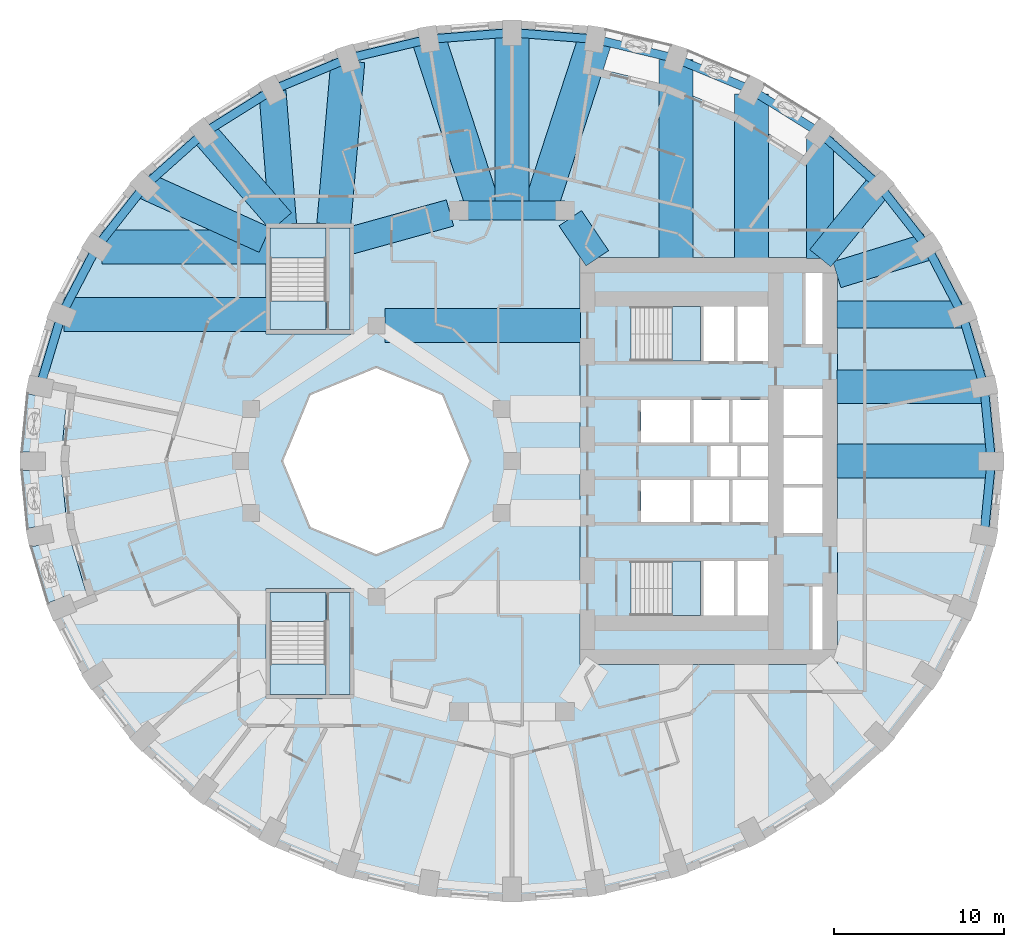
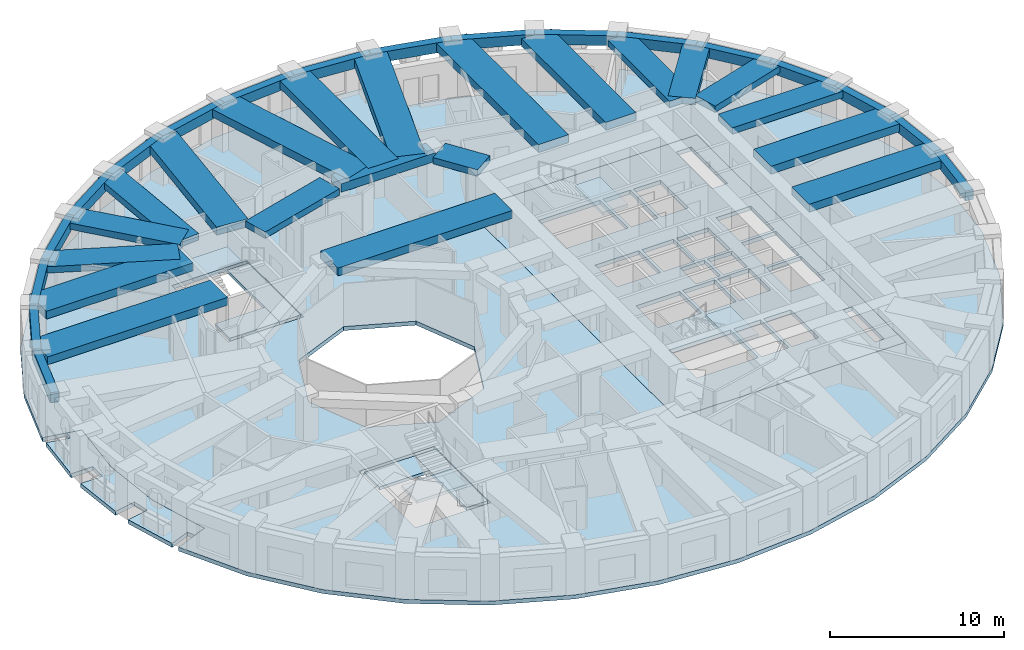
# One storey, part 2 of 14: 39 beams, 11 slabs, 4 elements without a shape of their own.
"""IFC4 building model written with IfcOpenShell, lengths in metres."""

from ifc_helpers import new_model, si_unit, direction, frame, origin, origin_2d, place, context, subcontext, project, spatial, polyline, rectangle, outline, extrude, material, layer, layer_set, material_profile, profile_set, type_object, element, aggregate, save


model = new_model("IFC4")

# Units and contexts
model_context = context("Model", 3, precision=1e-05, world=origin(), true_north=direction((0.0, 1.0)))
body_context = subcontext(model_context, "Body", "Model", "MODEL_VIEW")
ifc_project = project(units=[si_unit("LENGTHUNIT", "METRE"), si_unit("AREAUNIT", "SQUARE_METRE"), si_unit("VOLUMEUNIT", "CUBIC_METRE"), si_unit("PLANEANGLEUNIT", "RADIAN"), si_unit("MASSUNIT", "GRAM", prefix="KILO")], contexts=[model_context])

# Site, building, storey
site_placement = place(None, origin())
site = spatial("IfcSite", under=ifc_project, at=site_placement, CompositionType="ELEMENT")
building_placement = place(site_placement, origin())
building = spatial("IfcBuilding", under=site, at=building_placement, Name="Taillehof Tower", CompositionType="ELEMENT")
storey_placement = place(building_placement, frame((0.0, 0.0, 21.699951171875)))
storey = spatial("IfcBuildingStorey", under=building, at=storey_placement, Name="L04", CompositionType="ELEMENT", Elevation=21.699951171875)

# Beams
ifc_material_1 = material(Name="Concrete C50/60", Category="concrete")
ifc_material_profile_1 = material_profile(ifc_material_1, rectangle(XDim=1.10009765625, YDim=0.60009765625, at=origin_2d()), Name="RC 1100x600")
ifc_profile_set_1 = profile_set([ifc_material_profile_1], Name="Concrete C50/60")
beam_type_1 = type_object("IfcBeamType", Name="Mid-ring beam C50/60 1100x600", PredefinedType="BEAM", material=ifc_profile_set_1)
beam_1_placement = place(storey_placement, frame((3.125732421875, 14.772216796875, 2.719970703125), z_axis=(-1.0, 0.0, 0.0), x_axis=(0.0, -1.0, 0.0)))
element("IfcBeam", 1, at=beam_1_placement, inside=storey, type_object=beam_type_1, Name="Mid-ring beam MB01", PredefinedType="BEAM", context=body_context, shape_type="SweptSolid", body=[
    extrude(rectangle(XDim=1.10009765625, YDim=0.60009765625, at=origin_2d()), origin(), (0.0, 0.0, 1.0), 6.25146484375),
])
ifc_material_2 = material(Name="Concrete C50/60", Category="concrete")
ifc_material_profile_2 = material_profile(ifc_material_2, rectangle(XDim=1.60009765625, YDim=0.449951171875, at=origin_2d()), Name="RC 1600x450")
ifc_profile_set_2 = profile_set([ifc_material_profile_2], Name="Concrete C50/60")
beam_type_2 = type_object("IfcBeamType", Name="Radial band beam C50/60 1600x450", PredefinedType="BEAM", material=ifc_profile_set_2)
beam_2_placement = place(storey_placement, frame((26.490478515625, 8.635986328125, 2.795166015625), z_axis=(-1.0, 0.0, 0.0), x_axis=(0.0, -1.0, 0.0)))
element("IfcBeam", 2, at=beam_2_placement, inside=storey, type_object=beam_type_2, Name="Radial band beam RB03", PredefinedType="BEAM", context=body_context, shape_type="SweptSolid", body=[
    extrude(rectangle(XDim=1.60009765625, YDim=0.449951171875, at=origin_2d()), origin(), (0.0, 0.0, 1.0), 7.340576171875),
])
beam_3_placement = place(storey_placement, frame((24.46533203125, 12.625, 2.795166015625), z_axis=(-0.955535654338, -0.294875589511, 0.0), x_axis=(0.294875589511, -0.955535654338, 0.0)))
element("IfcBeam", 3, at=beam_3_placement, inside=storey, type_object=beam_type_2, Name="Radial band beam RB04", PredefinedType="BEAM", context=body_context, shape_type="SweptSolid", body=[
    extrude(rectangle(XDim=1.60009765625, YDim=0.449951171875, at=origin_2d()), origin(), (0.0, 0.0, 1.0), 5.560546875),
])
beam_4_placement = place(storey_placement, frame((21.640869140625, 16.23046875, 2.795166015625), z_axis=(-0.630988373846, -0.775792286679, 0.0), x_axis=(0.775792286679, -0.630988373846, 0.0)))
element("IfcBeam", 4, at=beam_4_placement, inside=storey, type_object=beam_type_2, Name="Radial band beam RB05", PredefinedType="BEAM", context=body_context, shape_type="SweptSolid", body=[
    extrude(rectangle(XDim=1.60009765625, YDim=0.449951171875, at=origin_2d()), origin(), (0.0, 0.0, 1.0), 5.503173828125),
])
beam_5_placement = place(storey_placement, frame((18.15869140625, 19.05517578125, 2.795166015625), z_axis=(0.0, -1.0, 0.0), x_axis=(1.0, 0.0, 0.0)))
element("IfcBeam", 5, at=beam_5_placement, inside=storey, type_object=beam_type_2, Name="Radial band beam RB06", PredefinedType="BEAM", context=body_context, shape_type="SweptSolid", body=[
    extrude(rectangle(XDim=1.60009765625, YDim=0.449951171875, at=origin_2d()), origin(), (0.0, 0.0, 1.0), 7.105224609375),
])
beam_6_placement = place(storey_placement, frame((-14.119873046875, 21.802978515625, 2.795166015625), z_axis=(0.079184740988, -0.996859958467, 0.0), x_axis=(0.996859958467, 0.079184740988, 0.0)))
element("IfcBeam", 6, at=beam_6_placement, inside=storey, type_object=beam_type_2, Name="Radial band beam RB13", PredefinedType="BEAM", context=body_context, shape_type="SweptSolid", body=[
    extrude(rectangle(XDim=1.60009765625, YDim=0.449951171875, at=origin_2d()), origin(), (0.0, 0.0, 1.0), 7.87744140625),
])
beam_7_placement = place(storey_placement, frame((-18.15869140625, 19.342529296875, 2.795166015625), z_axis=(0.65721824087, -0.753700327628, 0.0), x_axis=(0.753700327628, 0.65721824087, 0.0)))
element("IfcBeam", 7, at=beam_7_placement, inside=storey, type_object=beam_type_2, Name="Radial band beam RB14", PredefinedType="BEAM", context=body_context, shape_type="SweptSolid", body=[
    extrude(rectangle(XDim=1.60009765625, YDim=0.449951171875, at=origin_2d()), origin(), (0.0, 0.0, 1.0), 6.9384765625),
])
beam_8_placement = place(storey_placement, frame((-21.632568359375, 16.226806640625, 2.795166015625), z_axis=(0.911100590789, -0.412184077161, 0.0), x_axis=(0.412184077161, 0.911100590789, 0.0)))
element("IfcBeam", 8, at=beam_8_placement, inside=storey, type_object=beam_type_2, Name="Radial band beam RB15", PredefinedType="BEAM", context=body_context, shape_type="SweptSolid", body=[
    extrude(rectangle(XDim=1.60009765625, YDim=0.449951171875, at=origin_2d()), origin(), (0.0, 0.0, 1.0), 7.740966796875),
])
beam_9_placement = place(storey_placement, frame((3.433837890625, 14.31640625, 2.795166015625), z_axis=(0.560112043398, -0.828416862962, 0.0), x_axis=(0.828416862962, 0.560112043398, 0.0)))
element("IfcBeam", 9, at=beam_9_placement, inside=storey, type_object=beam_type_2, Name="Inner band beam IB205", PredefinedType="BEAM", context=body_context, shape_type="SweptSolid", body=[
    extrude(rectangle(XDim=1.60009765625, YDim=0.449951171875, at=origin_2d()), origin(), (0.0, 0.0, 1.0), 2.84619140625),
])
beam_10_placement = place(storey_placement, frame((-3.655517578125, 14.624755859375, 2.795166015625), z_axis=(-0.963459369536, -0.267854518821, 0.0), x_axis=(0.267854518821, -0.963459369536, 0.0)))
element("IfcBeam", 10, at=beam_10_placement, inside=storey, type_object=beam_type_2, Name="Inner band beam IB206", PredefinedType="BEAM", context=body_context, shape_type="SweptSolid", body=[
    extrude(rectangle(XDim=1.60009765625, YDim=0.449951171875, at=origin_2d()), origin(), (0.0, 0.0, 1.0), 6.096923828125),
])
ifc_material_3 = material(Name="Concrete C50/60", Category="concrete")
ifc_material_profile_3 = material_profile(ifc_material_3, rectangle(XDim=2.0, YDim=0.550048828125, at=origin_2d()), Name="RC 2000x550")
ifc_profile_set_3 = profile_set([ifc_material_profile_3], Name="Concrete C50/60")
beam_type_3 = type_object("IfcBeamType", Name="Radial band beam C50/60 2000x550", PredefinedType="BEAM", material=ifc_profile_set_3)
beam_11_placement = place(storey_placement, frame((28.25, 0.0, 2.7451171875), z_axis=(-1.0, 0.0, 0.0), x_axis=(0.0, -1.0, 0.0)))
element("IfcBeam", 11, at=beam_11_placement, inside=storey, type_object=beam_type_3, Name="Radial band beam RB01", PredefinedType="BEAM", context=body_context, shape_type="SweptSolid", body=[
    extrude(rectangle(XDim=2.0, YDim=0.550048828125, at=origin_2d()), origin(), (0.0, 0.0, 1.0), 9.10009765625),
])
beam_12_placement = place(storey_placement, frame((27.82080078125, 4.384521484375, 2.7451171875), z_axis=(-1.0, 0.0, 0.0), x_axis=(0.0, -1.0, 0.0)))
element("IfcBeam", 12, at=beam_12_placement, inside=storey, type_object=beam_type_3, Name="Radial band beam RB02", PredefinedType="BEAM", context=body_context, shape_type="SweptSolid", body=[
    extrude(rectangle(XDim=2.0, YDim=0.550048828125, at=origin_2d()), origin(), (0.0, 0.0, 1.0), 8.6708984375),
])
beam_13_placement = place(storey_placement, frame((14.125, 21.63232421875, 2.7451171875), z_axis=(0.0, -1.0, 0.0), x_axis=(1.0, 0.0, 0.0)))
element("IfcBeam", 13, at=beam_13_placement, inside=storey, type_object=beam_type_3, Name="Radial band beam RB07", PredefinedType="BEAM", context=body_context, shape_type="SweptSolid", body=[
    extrude(rectangle(XDim=2.0, YDim=0.550048828125, at=origin_2d()), origin(), (0.0, 0.0, 1.0), 9.682373046875),
])
beam_14_placement = place(storey_placement, frame((9.662109375, 23.664794921875, 2.7451171875), z_axis=(0.0, -1.0, 0.0), x_axis=(1.0, 0.0, 0.0)))
element("IfcBeam", 14, at=beam_14_placement, inside=storey, type_object=beam_type_3, Name="Radial band beam RB08", PredefinedType="BEAM", context=body_context, shape_type="SweptSolid", body=[
    extrude(rectangle(XDim=2.0, YDim=0.550048828125, at=origin_2d()), origin(), (0.0, 0.0, 1.0), 11.71484375),
])
beam_15_placement = place(storey_placement, frame((4.905517578125, 24.866455078125, 2.7451171875), z_axis=(-0.309014294595, -0.951057393503, 0.0), x_axis=(0.951057393503, -0.309014294595, 0.0)))
element("IfcBeam", 15, at=beam_15_placement, inside=storey, type_object=beam_type_3, Name="Radial band beam RB09", PredefinedType="BEAM", context=body_context, shape_type="SweptSolid", body=[
    extrude(rectangle(XDim=2.0, YDim=0.550048828125, at=origin_2d()), origin(), (0.0, 0.0, 1.0), 10.61376953125),
])
beam_16_placement = place(storey_placement, frame((0.0, 25.25, 2.7451171875), z_axis=(0.0, -1.0, 0.0), x_axis=(1.0, 0.0, 0.0)))
element("IfcBeam", 16, at=beam_16_placement, inside=storey, type_object=beam_type_3, Name="Radial band beam RB10", PredefinedType="BEAM", context=body_context, shape_type="SweptSolid", body=[
    extrude(rectangle(XDim=2.0, YDim=0.550048828125, at=origin_2d()), origin(), (0.0, 0.0, 1.0), 10.477783203125),
])
beam_17_placement = place(storey_placement, frame((-4.905517578125, 24.866455078125, 2.7451171875), z_axis=(0.309014294595, -0.951057393503, 0.0), x_axis=(0.951057393503, 0.309014294595, 0.0)))
element("IfcBeam", 17, at=beam_17_placement, inside=storey, type_object=beam_type_3, Name="Radial band beam RB11", PredefinedType="BEAM", context=body_context, shape_type="SweptSolid", body=[
    extrude(rectangle(XDim=2.0, YDim=0.550048828125, at=origin_2d()), origin(), (0.0, 0.0, 1.0), 10.61376953125),
])
beam_18_placement = place(storey_placement, frame((-9.675048828125, 23.575927734375, 2.7451171875), z_axis=(-0.085841202752, -0.996308831593, 0.0), x_axis=(0.996308831593, -0.085841202752, 0.0)))
element("IfcBeam", 18, at=beam_18_placement, inside=storey, type_object=beam_type_3, Name="Radial band beam RB12", PredefinedType="BEAM", context=body_context, shape_type="SweptSolid", body=[
    extrude(rectangle(XDim=2.0, YDim=0.550048828125, at=origin_2d()), origin(), (0.0, 0.0, 1.0), 9.661376953125),
])
beam_19_placement = place(storey_placement, frame((-24.172607421875, 12.625, 2.7451171875), z_axis=(1.0, 0.0, 0.0), x_axis=(0.0, 1.0, 0.0)))
element("IfcBeam", 19, at=beam_19_placement, inside=storey, type_object=beam_type_3, Name="Radial band beam RB16", PredefinedType="BEAM", context=body_context, shape_type="SweptSolid", body=[
    extrude(rectangle(XDim=2.0, YDim=0.550048828125, at=origin_2d()), origin(), (0.0, 0.0, 1.0), 9.72265625),
])
beam_20_placement = place(storey_placement, frame((-26.408935546875, 8.635986328125, 2.7451171875), z_axis=(1.0, 0.0, 0.0), x_axis=(0.0, 1.0, 0.0)))
element("IfcBeam", 20, at=beam_20_placement, inside=storey, type_object=beam_type_3, Name="Radial band beam RB17", PredefinedType="BEAM", context=body_context, shape_type="SweptSolid", body=[
    extrude(rectangle(XDim=2.0, YDim=0.550048828125, at=origin_2d()), origin(), (0.0, 0.0, 1.0), 11.958984375),
])
beam_21_placement = place(storey_placement, frame((-7.5, 8.0, 2.7451171875), z_axis=(1.0, 0.0, 0.0), x_axis=(0.0, 1.0, 0.0)))
element("IfcBeam", 21, at=beam_21_placement, inside=storey, type_object=beam_type_3, Name="Inner band beam IB105", PredefinedType="BEAM", context=body_context, shape_type="SweptSolid", body=[
    extrude(rectangle(XDim=2.0, YDim=0.550048828125, at=origin_2d()), origin(), (0.0, 0.0, 1.0), 11.550048828125),
])
ifc_material_4 = material(Name="Concrete C50/60", Category="concrete")
ifc_material_profile_4 = material_profile(ifc_material_4, rectangle(XDim=0.5, YDim=0.699951171875, at=origin_2d()), Name="RC 500x700")
ifc_profile_set_4 = profile_set([ifc_material_profile_4], Name="Concrete C50/60")
beam_type_4 = type_object("IfcBeamType", Name="Spandrel beam C50/60 500x700", PredefinedType="SPANDREL", material=ifc_profile_set_4)
beam_22_placement = place(storey_placement, frame((28.25, 0.0, 2.670166015625), z_axis=(-0.097423973567, 0.99524297002, 0.0), x_axis=(-0.99524297002, -0.097423973567, 0.0)))
element("IfcBeam", 22, at=beam_22_placement, inside=storey, type_object=beam_type_4, Name="Spandrel beam SB01", PredefinedType="SPANDREL", context=body_context, shape_type="SweptSolid", body=[
    extrude(rectangle(XDim=0.5, YDim=0.699951171875, at=origin_2d()), origin(), (0.0, 0.0, 1.0), 4.405517578125),
])
beam_23_placement = place(storey_placement, frame((27.82080078125, 4.384521484375, 2.670166015625), z_axis=(-0.287135925407, 0.957889847707, 0.0), x_axis=(-0.957889847707, -0.287135925407, 0.0)))
element("IfcBeam", 23, at=beam_23_placement, inside=storey, type_object=beam_type_4, Name="Spandrel beam SB02", PredefinedType="SPANDREL", context=body_context, shape_type="SweptSolid", body=[
    extrude(rectangle(XDim=0.5, YDim=0.699951171875, at=origin_2d()), origin(), (0.0, 0.0, 1.0), 4.4384765625),
])
beam_24_placement = place(storey_placement, frame((26.54638671875, 8.635986328125, 2.670166015625), z_axis=(-0.462536335232, 0.886600326297, 0.0), x_axis=(-0.886600326297, -0.462536335232, 0.0)))
element("IfcBeam", 24, at=beam_24_placement, inside=storey, type_object=beam_type_4, Name="Spandrel beam SB03", PredefinedType="SPANDREL", context=body_context, shape_type="SweptSolid", body=[
    extrude(rectangle(XDim=0.5, YDim=0.699951171875, at=origin_2d()), origin(), (0.0, 0.0, 1.0), 4.499267578125),
])
beam_25_placement = place(storey_placement, frame((24.46533203125, 12.625, 2.670166015625), z_axis=(-0.616686200373, 0.787209076593, 0.0), x_axis=(-0.787209076593, -0.616686200373, 0.0)))
element("IfcBeam", 25, at=beam_25_placement, inside=storey, type_object=beam_type_4, Name="Spandrel beam SB04", PredefinedType="SPANDREL", context=body_context, shape_type="SweptSolid", body=[
    extrude(rectangle(XDim=0.5, YDim=0.699951171875, at=origin_2d()), origin(), (0.0, 0.0, 1.0), 4.580078125),
])
beam_26_placement = place(storey_placement, frame((21.640869140625, 16.23046875, 2.670166015625), z_axis=(-0.745621283614, 0.666369943366, 0.0), x_axis=(-0.666369943366, -0.745621283614, 0.0)))
element("IfcBeam", 26, at=beam_26_placement, inside=storey, type_object=beam_type_4, Name="Spandrel beam SB05", PredefinedType="SPANDREL", context=body_context, shape_type="SweptSolid", body=[
    extrude(rectangle(XDim=0.5, YDim=0.699951171875, at=origin_2d()), origin(), (0.0, 0.0, 1.0), 4.670166015625),
])
beam_27_placement = place(storey_placement, frame((18.15869140625, 19.342529296875, 2.670166015625), z_axis=(-0.847658018883, 0.530543007703, 0.0), x_axis=(-0.530543007703, -0.847658018883, 0.0)))
element("IfcBeam", 27, at=beam_27_placement, inside=storey, type_object=beam_type_4, Name="Spandrel beam SB06", PredefinedType="SPANDREL", context=body_context, shape_type="SweptSolid", body=[
    extrude(rectangle(XDim=0.5, YDim=0.699951171875, at=origin_2d()), origin(), (0.0, 0.0, 1.0), 4.758544921875),
])
beam_28_placement = place(storey_placement, frame((14.125, 21.8671875, 2.670166015625), z_axis=(-0.923035088053, 0.384715773297, 0.0), x_axis=(-0.384715773297, -0.923035088053, 0.0)))
element("IfcBeam", 28, at=beam_28_placement, inside=storey, type_object=beam_type_4, Name="Spandrel beam SB07", PredefinedType="SPANDREL", context=body_context, shape_type="SweptSolid", body=[
    extrude(rectangle(XDim=0.5, YDim=0.699951171875, at=origin_2d()), origin(), (0.0, 0.0, 1.0), 4.8349609375),
])
beam_29_placement = place(storey_placement, frame((9.662109375, 23.727294921875, 2.670166015625), z_axis=(-0.9724995553, 0.232904733616, 0.0), x_axis=(-0.232904733616, -0.9724995553, 0.0)))
element("IfcBeam", 29, at=beam_29_placement, inside=storey, type_object=beam_type_4, Name="Spandrel beam SB08", PredefinedType="SPANDREL", context=body_context, shape_type="SweptSolid", body=[
    extrude(rectangle(XDim=0.5, YDim=0.699951171875, at=origin_2d()), origin(), (0.0, 0.0, 1.0), 4.89111328125),
])
for number, where, z_axis, x_axis, name in (
    (30, (4.905517578125, 24.866455078125, 2.670166015625), (-0.996957383661, 0.077948541767, 0.0), (-0.077948541767, -0.996957383661, 0.0), "Spandrel beam SB09"),
    (31, (0.0, 25.25, 2.670166015625), (-0.996957383661, -0.077948541767, 0.0), (0.077948541767, -0.996957383661, 0.0), "Spandrel beam SB10"),
):
    element("IfcBeam", number, at=place(storey_placement, frame(where, z_axis=z_axis, x_axis=x_axis)), inside=storey, type_object=beam_type_4, Name=name, PredefinedType="SPANDREL", context=body_context, shape_type="SweptSolid", body=[
        extrude(rectangle(XDim=0.5, YDim=0.699951171875, at=origin_2d()), origin(), (0.0, 0.0, 1.0), 4.92041015625),
    ])
beam_30_placement = place(storey_placement, frame((-4.905517578125, 24.866455078125, 2.670166015625), z_axis=(-0.9724995553, -0.232904733616, 0.0), x_axis=(0.232904733616, -0.9724995553, 0.0)))
element("IfcBeam", 32, at=beam_30_placement, inside=storey, type_object=beam_type_4, Name="Spandrel beam SB11", PredefinedType="SPANDREL", context=body_context, shape_type="SweptSolid", body=[
    extrude(rectangle(XDim=0.5, YDim=0.699951171875, at=origin_2d()), origin(), (0.0, 0.0, 1.0), 4.89111328125),
])
beam_31_placement = place(storey_placement, frame((-9.662109375, 23.727294921875, 2.670166015625), z_axis=(-0.923035088053, -0.384715773297, 0.0), x_axis=(0.384715773297, -0.923035088053, 0.0)))
element("IfcBeam", 33, at=beam_31_placement, inside=storey, type_object=beam_type_4, Name="Spandrel beam SB12", PredefinedType="SPANDREL", context=body_context, shape_type="SweptSolid", body=[
    extrude(rectangle(XDim=0.5, YDim=0.699951171875, at=origin_2d()), origin(), (0.0, 0.0, 1.0), 4.8349609375),
])
beam_32_placement = place(storey_placement, frame((-14.125, 21.8671875, 2.670166015625), z_axis=(-0.847658018883, -0.530543007703, 0.0), x_axis=(0.530543007703, -0.847658018883, 0.0)))
element("IfcBeam", 34, at=beam_32_placement, inside=storey, type_object=beam_type_4, Name="Spandrel beam SB13", PredefinedType="SPANDREL", context=body_context, shape_type="SweptSolid", body=[
    extrude(rectangle(XDim=0.5, YDim=0.699951171875, at=origin_2d()), origin(), (0.0, 0.0, 1.0), 4.758544921875),
])
beam_33_placement = place(storey_placement, frame((-18.15869140625, 19.342529296875, 2.670166015625), z_axis=(-0.745621283614, -0.666369943366, 0.0), x_axis=(0.666369943366, -0.745621283614, 0.0)))
element("IfcBeam", 35, at=beam_33_placement, inside=storey, type_object=beam_type_4, Name="Spandrel beam SB14", PredefinedType="SPANDREL", context=body_context, shape_type="SweptSolid", body=[
    extrude(rectangle(XDim=0.5, YDim=0.699951171875, at=origin_2d()), origin(), (0.0, 0.0, 1.0), 4.670166015625),
])
beam_34_placement = place(storey_placement, frame((-21.640869140625, 16.23046875, 2.670166015625), z_axis=(-0.616686200373, -0.787209076593, 0.0), x_axis=(0.787209076593, -0.616686200373, 0.0)))
element("IfcBeam", 36, at=beam_34_placement, inside=storey, type_object=beam_type_4, Name="Spandrel beam SB15", PredefinedType="SPANDREL", context=body_context, shape_type="SweptSolid", body=[
    extrude(rectangle(XDim=0.5, YDim=0.699951171875, at=origin_2d()), origin(), (0.0, 0.0, 1.0), 4.580078125),
])
beam_35_placement = place(storey_placement, frame((-24.46533203125, 12.625, 2.670166015625), z_axis=(-0.462536335232, -0.886600326297, 0.0), x_axis=(0.886600326297, -0.462536335232, 0.0)))
element("IfcBeam", 37, at=beam_35_placement, inside=storey, type_object=beam_type_4, Name="Spandrel beam SB16", PredefinedType="SPANDREL", context=body_context, shape_type="SweptSolid", body=[
    extrude(rectangle(XDim=0.5, YDim=0.699951171875, at=origin_2d()), origin(), (0.0, 0.0, 1.0), 4.499267578125),
])
beam_36_placement = place(storey_placement, frame((-26.54638671875, 8.635986328125, 2.670166015625), z_axis=(-0.287135925407, -0.957889847707, 0.0), x_axis=(0.957889847707, -0.287135925407, 0.0)))
element("IfcBeam", 38, at=beam_36_placement, inside=storey, type_object=beam_type_4, Name="Spandrel beam SB17", PredefinedType="SPANDREL", context=body_context, shape_type="SweptSolid", body=[
    extrude(rectangle(XDim=0.5, YDim=0.699951171875, at=origin_2d()), origin(), (0.0, 0.0, 1.0), 4.4384765625),
])
beam_37_placement = place(storey_placement, frame((27.82080078125, -4.384521484375, 2.670166015625), z_axis=(0.097423973567, 0.99524297002, 0.0), x_axis=(-0.99524297002, 0.097423973567, 0.0)))
element("IfcBeam", 39, at=beam_37_placement, inside=storey, type_object=beam_type_4, Name="Spandrel beam SB36", PredefinedType="SPANDREL", context=body_context, shape_type="SweptSolid", body=[
    extrude(rectangle(XDim=0.5, YDim=0.699951171875, at=origin_2d()), origin(), (0.0, 0.0, 1.0), 4.405517578125),
])

# Slabs
ifc_material_5 = material(Name="Concrete C40/50", Category="concrete")
ifc_layer_1 = layer(ifc_material_5, 0.280029296875)
ifc_layer_set_1 = layer_set([ifc_layer_1], Name="Balcony slab 280")
slab_type_1 = type_object("IfcSlabType", Name="Balcony slab 280", PredefinedType="USERDEFINED", material=ifc_layer_set_1)
slab_1_placement = place(storey_placement, frame((0.0, 0.0, -0.280029296875)))
element("IfcSlab", 40, at=slab_1_placement, inside=storey, type_object=slab_type_1, Name="Balcony L04 pocket 5", ObjectType="BALCONY", PredefinedType="USERDEFINED", context=body_context, shape_type="SweptSolid", body=[
    extrude(outline(polyline([(-25.02734375, -7.98974609375), (-25.86181640625, -8.328369140625), (-26.058349609375, -7.84423828125), (-27.4013671875, -8.3896484375), (-28.39697265625, -5.058349609375), (-26.978759765625, -4.779541015625), (-27.191162109375, -3.7001953125), (-28.611572265625, -3.979736328125), (-28.9462890625, -0.550048828125), (-27.5, -0.550048828125), (-27.5, 0.550048828125), (-28.9462890625, 0.550048828125), (-28.611572265625, 3.979736328125), (-27.191162109375, 3.7001953125), (-27.087646484375, 4.225341796875), (-26.20458984375, 4.0517578125), (-26.60009765625, 0.0), (-26.20458984375, -4.0517578125), (-25.02734375, -7.98974609375)])), origin(), (0.0, 0.0, 1.0), 0.280029296875),
])
ifc_material_6 = material(Name="Concrete C40/50", Category="concrete")
ifc_layer_2 = layer(ifc_material_6, 0.280029296875)
ifc_layer_set_2 = layer_set([ifc_layer_2], Name="Core floor slab C40/50 280")
slab_type_2 = type_object("IfcSlabType", Name="Core floor slab C40/50 280", PredefinedType="FLOOR", material=ifc_layer_set_2)
slab_2_placement = place(storey_placement, frame((0.0, 0.0, -0.280029296875)))
element("IfcSlab", 41, at=slab_2_placement, inside=storey, type_object=slab_type_2, Name="Core floor L04", PredefinedType="FLOOR", context=body_context, shape_type="SweptSolid", body=[
    extrude(outline(polyline([(4.0, -12.0), (4.0, 12.0), (19.199951171875, 12.0), (19.199951171875, -12.0), (4.0, -12.0)]), holes=[polyline([(7.00048828125, -9.10009765625), (11.10009765625, -9.10009765625), (11.10009765625, -5.89990234375), (7.00048828125, -5.89990234375), (7.00048828125, -9.10009765625)]), polyline([(13.10009765625, -9.10009765625), (13.10009765625, -5.89990234375), (11.300048828125, -5.89990234375), (11.300048828125, -9.10009765625), (13.10009765625, -9.10009765625)]), polyline([(10.5, -3.60009765625), (10.5, -1.10009765625), (7.60009765625, -1.10009765625), (7.60009765625, -3.60009765625), (10.5, -3.60009765625)]), polyline([(12.800048828125, -3.60009765625), (12.800048828125, -1.10009765625), (10.699951171875, -1.10009765625), (10.699951171875, -3.60009765625), (12.800048828125, -3.60009765625)]), polyline([(13.300048828125, -0.89990234375), (13.300048828125, 0.89990234375), (11.699951171875, 0.89990234375), (11.699951171875, -0.89990234375), (13.300048828125, -0.89990234375)]), polyline([(10.5, 1.10009765625), (10.5, 3.60009765625), (7.60009765625, 3.60009765625), (7.60009765625, 1.10009765625), (10.5, 1.10009765625)]), polyline([(12.800048828125, 1.10009765625), (12.800048828125, 3.60009765625), (10.699951171875, 3.60009765625), (10.699951171875, 1.10009765625), (12.800048828125, 1.10009765625)]), polyline([(13.0, 1.10009765625), (15.10009765625, 1.10009765625), (15.10009765625, 3.60009765625), (13.0, 3.60009765625), (13.0, 1.10009765625)]), polyline([(11.300048828125, 5.89990234375), (13.10009765625, 5.89990234375), (13.10009765625, 9.10009765625), (11.300048828125, 9.10009765625), (11.300048828125, 5.89990234375)]), polyline([(11.10009765625, 5.89990234375), (11.10009765625, 9.10009765625), (7.00048828125, 9.10009765625), (7.00048828125, 5.89990234375), (11.10009765625, 5.89990234375)]), polyline([(18.300048828125, -11.10009765625), (18.300048828125, -7.39990234375), (17.699951171875, -7.39990234375), (17.699951171875, -11.10009765625), (18.300048828125, -11.10009765625)]), polyline([(15.10009765625, -9.10009765625), (15.10009765625, -5.89990234375), (13.300048828125, -5.89990234375), (13.300048828125, -9.10009765625), (15.10009765625, -9.10009765625)]), polyline([(16.0, -4.25), (18.300048828125, -4.25), (18.300048828125, -1.550048828125), (16.0, -1.550048828125), (16.0, -4.25)]), polyline([(13.0, -3.60009765625), (15.10009765625, -3.60009765625), (15.10009765625, -1.10009765625), (13.0, -1.10009765625), (13.0, -3.60009765625)]), polyline([(15.10009765625, -0.89990234375), (15.10009765625, 0.89990234375), (13.5, 0.89990234375), (13.5, -0.89990234375), (15.10009765625, -0.89990234375)]), polyline([(18.300048828125, -1.35009765625), (18.300048828125, 1.35009765625), (16.0, 1.35009765625), (16.0, -1.35009765625), (18.300048828125, -1.35009765625)]), polyline([(18.300048828125, 1.550048828125), (18.300048828125, 4.25), (16.0, 4.25), (16.0, 1.550048828125), (18.300048828125, 1.550048828125)]), polyline([(13.300048828125, 5.89990234375), (15.10009765625, 5.89990234375), (15.10009765625, 9.10009765625), (13.300048828125, 9.10009765625), (13.300048828125, 5.89990234375)]), polyline([(17.300048828125, 6.89990234375), (18.300048828125, 6.89990234375), (18.300048828125, 11.10009765625), (17.300048828125, 11.10009765625), (17.300048828125, 6.89990234375)])]), origin(), (0.0, 0.0, 1.0), 0.280029296875),
])
ifc_material_7 = material(Name="Concrete C40/50", Category="concrete")
ifc_layer_3 = layer(ifc_material_7, 0.280029296875)
ifc_layer_set_3 = layer_set([ifc_layer_3], Name="Floor slab 280")
slab_type_3 = type_object("IfcSlabType", Name="Floor slab 280", PredefinedType="FLOOR", material=ifc_layer_set_3)
slab_3_placement = place(storey_placement, frame((0.0, 0.0, -0.280029296875)))
element("IfcSlab", 42, at=slab_3_placement, inside=storey, type_object=slab_type_3, Name="Floor slab L04", PredefinedType="FLOOR", context=body_context, shape_type="SweptSolid", body=[
    extrude(outline(polyline([(29.0, 0.0), (28.559326171875, 4.514892578125), (27.251220703125, 8.892578125), (25.11474609375, 13.0), (22.21533203125, 16.71240234375), (18.640869140625, 19.917236328125), (17.197998046875, 17.999267578125), (13.396728515625, 20.38525390625), (9.174072265625, 22.150390625), (4.660888671875, 23.234375), (5.035888671875, 25.60498046875), (0.0, 26.0), (-5.035888671875, 25.60498046875), (-9.918701171875, 24.431884765625), (-14.5, 22.5166015625), (-18.640869140625, 19.917236328125), (-22.21533203125, 16.71240234375), (-25.11474609375, 13.0), (-27.251220703125, 8.892578125), (-28.559326171875, 4.514892578125), (-26.20458984375, 4.0517578125), (-26.60009765625, 0.0), (-26.20458984375, -4.0517578125), (-25.02734375, -7.98974609375), (-27.251220703125, -8.892578125), (-25.11474609375, -13.0), (-22.21533203125, -16.71240234375), (-18.640869140625, -19.917236328125), (-14.5, -22.5166015625), (-9.918701171875, -24.431884765625), (-5.035888671875, -25.60498046875), (0.0, -26.0), (5.035888671875, -25.60498046875), (9.918701171875, -24.431884765625), (14.5, -22.5166015625), (18.640869140625, -19.917236328125), (22.21533203125, -16.71240234375), (25.11474609375, -13.0), (27.251220703125, -8.892578125), (28.559326171875, -4.514892578125), (29.0, 0.0)]), holes=[polyline([(-14.5, -7.5), (-9.5, -7.5), (-9.5, -14.0), (-14.5, -14.0), (-14.5, -7.5)]), polyline([(-8.0, -5.5), (-11.88916015625, -3.88916015625), (-13.5, 0.0), (-11.88916015625, 3.88916015625), (-8.0, 5.5), (-4.11083984375, 3.88916015625), (-2.5, 0.0), (-4.11083984375, -3.88916015625), (-8.0, -5.5)]), polyline([(19.199951171875, 12.0), (19.199951171875, -12.0), (4.0, -12.0), (4.0, 12.0), (19.199951171875, 12.0)]), polyline([(-14.5, 14.0), (-9.5, 14.0), (-9.5, 7.5), (-14.5, 7.5), (-14.5, 14.0)])]), origin(), (0.0, 0.0, 1.0), 0.280029296875),
])

# Stair, slab
ifc_material_8 = material(Name="Concrete C40/50", Category="concrete")
stair_type = type_object("IfcStairType", Name="Exit stair half-turn", PredefinedType="HALF_TURN_STAIR", material=ifc_material_8)
stair_1_placement = place(storey_placement, origin())
stair_1 = element("IfcStair", 43, at=stair_1_placement, inside=storey, type_object=stair_type, Name="Exit stair S1", PredefinedType="HALF_TURN_STAIR")
ifc_material_9 = material(Name="Concrete C40/50", Category="concrete")
ifc_layer_4 = layer(ifc_material_9, 0.2099609375)
ifc_layer_set_4 = layer_set([ifc_layer_4], Name="Stair landing C40/50 210")
slab_type_4 = type_object("IfcSlabType", Name="Stair landing C40/50 210", PredefinedType="LANDING", material=ifc_layer_set_4)
slab_4_placement = place(storey_placement, frame((0.0, 0.0, 1.43994140625)))
slab_4 = element("IfcSlab", 44, at=slab_4_placement, type_object=slab_type_4, Name="S1 landing 1", PredefinedType="LANDING", context=body_context, shape_type="SweptSolid", body=[
    extrude(outline(polyline([(9.429931640625, 5.89990234375), (11.10009765625, 5.89990234375), (11.10009765625, 9.10009765625), (9.429931640625, 9.10009765625), (9.429931640625, 5.89990234375)])), origin(), (0.0, 0.0, 1.0), 0.210205078125),
])
aggregate(stair_1, [slab_4])

stair_2_placement = place(storey_placement, origin())
stair_2 = element("IfcStair", 45, at=stair_2_placement, inside=storey, type_object=stair_type, Name="Exit stair S2", PredefinedType="HALF_TURN_STAIR")
slab_5_placement = place(storey_placement, frame((0.0, 0.0, 1.43994140625)))
slab_5 = element("IfcSlab", 46, at=slab_5_placement, type_object=slab_type_4, Name="S2 landing 1", PredefinedType="LANDING", context=body_context, shape_type="SweptSolid", body=[
    extrude(outline(polyline([(9.429931640625, -5.89990234375), (11.10009765625, -5.89990234375), (11.10009765625, -9.10009765625), (9.429931640625, -9.10009765625), (9.429931640625, -5.89990234375)])), origin(), (0.0, 0.0, 1.0), 0.210205078125),
])
aggregate(stair_2, [slab_5])

stair_3_placement = place(storey_placement, origin())
stair_3 = element("IfcStair", 47, at=stair_3_placement, inside=storey, type_object=stair_type, Name="Exit stair S3", PredefinedType="HALF_TURN_STAIR")
slab_6_placement = place(storey_placement, frame((0.0, 0.0, 1.43994140625)))
slab_6 = element("IfcSlab", 48, at=slab_6_placement, type_object=slab_type_4, Name="S3 landing 1", PredefinedType="LANDING", context=body_context, shape_type="SweptSolid", body=[
    extrude(outline(polyline([(-14.25, 11.969970703125), (-14.25, 13.75), (-10.949951171875, 13.75), (-10.949951171875, 11.969970703125), (-14.25, 11.969970703125)])), origin(), (0.0, 0.0, 1.0), 0.210205078125),
])
aggregate(stair_3, [slab_6])

stair_4_placement = place(storey_placement, origin())
stair_4 = element("IfcStair", 49, at=stair_4_placement, inside=storey, type_object=stair_type, Name="Exit stair S4", PredefinedType="HALF_TURN_STAIR")
slab_7_placement = place(storey_placement, frame((0.0, 0.0, 1.43994140625)))
slab_7 = element("IfcSlab", 50, at=slab_7_placement, type_object=slab_type_4, Name="S4 landing 1", PredefinedType="LANDING", context=body_context, shape_type="SweptSolid", body=[
    extrude(outline(polyline([(-14.25, -11.969970703125), (-14.25, -13.75), (-10.949951171875, -13.75), (-10.949951171875, -11.969970703125), (-14.25, -11.969970703125)])), origin(), (0.0, 0.0, 1.0), 0.210205078125),
])
aggregate(stair_4, [slab_7])

# Slabs
slab_8_placement = place(storey_placement, frame((0.0, 0.0, -0.2099609375)))
element("IfcSlab", 51, at=slab_8_placement, inside=storey, type_object=slab_type_4, Name="Stair S3 floor landing", PredefinedType="LANDING", context=body_context, shape_type="SweptSolid", body=[
    extrude(outline(polyline([(-14.25, 7.75), (-14.25, 9.449951171875), (-10.949951171875, 9.449951171875), (-10.949951171875, 7.75), (-14.25, 7.75)])), origin(), (0.0, 0.0, 1.0), 0.2099609375),
])
slab_9_placement = place(storey_placement, frame((0.0, 0.0, -0.2099609375)))
element("IfcSlab", 52, at=slab_9_placement, inside=storey, type_object=slab_type_4, Name="Stair lobby S3 floor", PredefinedType="LANDING", context=body_context, shape_type="SweptSolid", body=[
    extrude(outline(polyline([(-10.949951171875, 7.75), (-9.550048828125, 7.75), (-9.550048828125, 13.75), (-10.949951171875, 13.75), (-10.949951171875, 7.75)])), origin(), (0.0, 0.0, 1.0), 0.2099609375),
])
slab_10_placement = place(storey_placement, frame((0.0, 0.0, -0.2099609375)))
element("IfcSlab", 53, at=slab_10_placement, inside=storey, type_object=slab_type_4, Name="Stair S4 floor landing", PredefinedType="LANDING", context=body_context, shape_type="SweptSolid", body=[
    extrude(outline(polyline([(-14.25, -7.75), (-14.25, -9.449951171875), (-10.949951171875, -9.449951171875), (-10.949951171875, -7.75), (-14.25, -7.75)])), origin(), (0.0, 0.0, 1.0), 0.2099609375),
])
slab_11_placement = place(storey_placement, frame((0.0, 0.0, -0.2099609375)))
element("IfcSlab", 54, at=slab_11_placement, inside=storey, type_object=slab_type_4, Name="Stair lobby S4 floor", PredefinedType="LANDING", context=body_context, shape_type="SweptSolid", body=[
    extrude(outline(polyline([(-10.949951171875, -13.75), (-9.550048828125, -13.75), (-9.550048828125, -7.75), (-10.949951171875, -7.75), (-10.949951171875, -13.75)])), origin(), (0.0, 0.0, 1.0), 0.2099609375),
])

save(model, "model.ifc")
